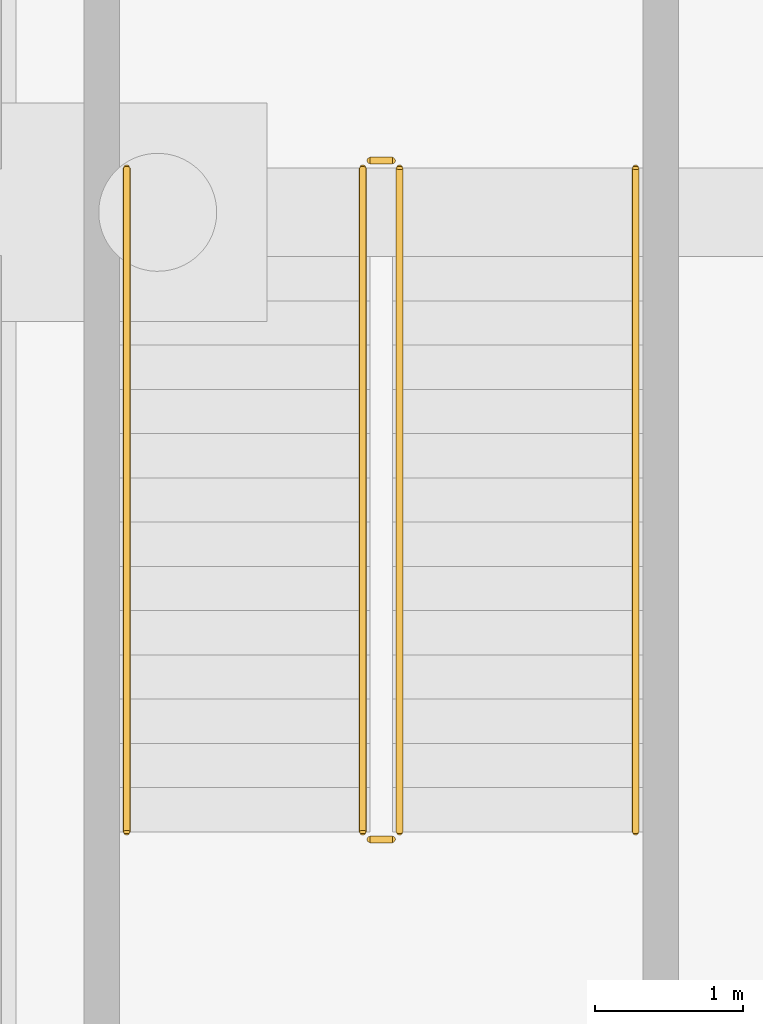
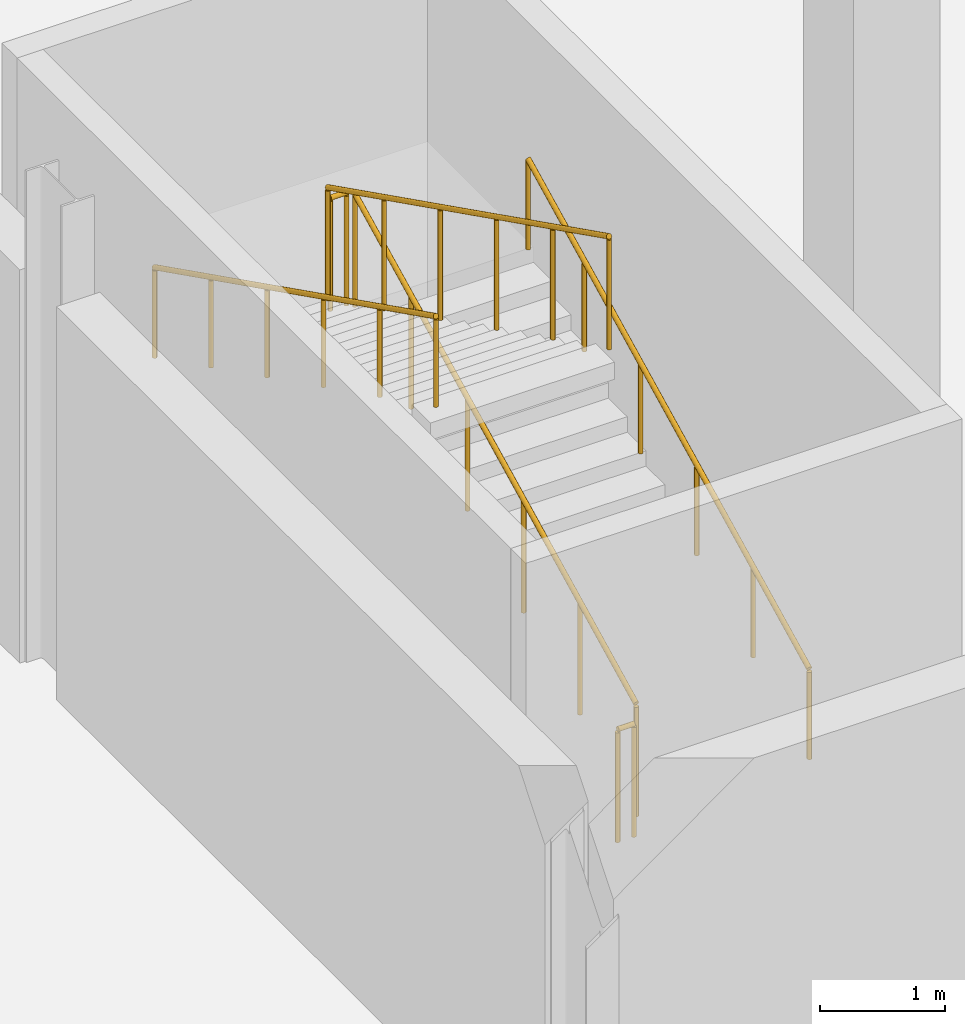
# One storey, part 39 of 44: 6 railings.
"""IFC4 building model written with IfcOpenShell, lengths in metres."""

import ifcopenshell
import ifcopenshell.guid

model = None  # the IFC model being written
_history = None  # IfcOwnerHistory: only IFC2X3 demands one
_inside = {}  # id of a spatial element -> (the spatial element, [elements in it])
_under = {}  # id of a project, library or spatial element -> (it, [spatial elements below it])
_declared = {}  # id of a project -> (the project, [libraries it declares])
_typed = {}  # id of a type object -> (the type object, [elements of that type])
_made_of = {}  # id of a material, layer set ... -> (it, [elements and type objects made of it])


def new_model(schema):
    """Start an empty IFC model of exactly this schema.

    Asked for "IFC4X3", IfcOpenShell would pick the latest addendum, in which some entities
    have other attributes; the version numbers below select the first issue.
    IFC2X3 requires an IfcOwnerHistory on every rooted entity: one is made here for all.
    """
    global model, _history
    if schema == "IFC4X3":
        model = ifcopenshell.file(schema_version=(4, 3, 0, 0))
    else:
        model = ifcopenshell.file(schema=schema)
    _inside.clear()
    _under.clear()
    _declared.clear()
    _typed.clear()
    _made_of.clear()
    _history = None
    if model.schema == "IFC2X3":
        org = make("IfcOrganization", Name="unknown")
        user = make(
            "IfcPersonAndOrganization",
            ThePerson=make("IfcPerson", FamilyName="unknown"),
            TheOrganization=org,
        )
        app = make(
            "IfcApplication",
            ApplicationDeveloper=org,
            Version="unknown",
            ApplicationFullName="unknown",
            ApplicationIdentifier="unknown",
        )
        _history = make(
            "IfcOwnerHistory",
            OwningUser=user,
            OwningApplication=app,
            ChangeAction="ADDED",
            CreationDate=0,
        )
    return model


def make(cls, **values):
    """One entity of the class cls with the attributes given. An attribute that is None is left unset."""
    return model.create_entity(
        cls, **{name: value for name, value in values.items() if value is not None}
    )


def rooted(cls, **values):
    """An entity with a GlobalId (a new one), such as an element, a storey or a relation."""
    return make(cls, GlobalId=ifcopenshell.guid.new(), OwnerHistory=_history, **values)


def si_unit(unit_type, name, prefix=None):
    """IfcSIUnit, for example si_unit("LENGTHUNIT", "METRE", prefix="MILLI")."""
    return make("IfcSIUnit", UnitType=unit_type, Prefix=prefix, Name=name)


def assignment(units):
    """IfcUnitAssignment: the units of a project."""
    return None if units is None else make("IfcUnitAssignment", Units=units)


def point(xyz):
    """IfcCartesianPoint."""
    return None if xyz is None else make("IfcCartesianPoint", Coordinates=xyz)


def direction(xyz):
    """IfcDirection."""
    return None if xyz is None else make("IfcDirection", DirectionRatios=xyz)


def frame(location, z_axis=None, x_axis=None):
    """IfcAxis2Placement3D, a coordinate frame: its origin and axes. An axis left out is left unset."""
    return make(
        "IfcAxis2Placement3D",
        Location=point(location),
        Axis=direction(z_axis),
        RefDirection=direction(x_axis),
    )


def frame_2d(location, x_axis=None):
    """IfcAxis2Placement2D, a coordinate frame in the plane: its origin and x axis."""
    return make(
        "IfcAxis2Placement2D", Location=point(location), RefDirection=direction(x_axis)
    )


def origin():
    """The frame at (0, 0, 0) with its axes left unset."""
    return frame((0.0, 0.0, 0.0))


def origin_2d():
    """The frame at (0, 0) in the plane with its x axis left unset."""
    return frame_2d((0.0, 0.0))


def place(relative_to, where):
    """IfcLocalPlacement: puts the frame where relative to a parent placement (None: the world)."""
    return make(
        "IfcLocalPlacement", PlacementRelTo=relative_to, RelativePlacement=where
    )


def context(
    kind, dimensions, precision=None, world=None, true_north=None, identifier=None
):
    """IfcGeometricRepresentationContext, for example the 3D "Model" context."""
    return make(
        "IfcGeometricRepresentationContext",
        ContextIdentifier=identifier,
        ContextType=kind,
        CoordinateSpaceDimension=dimensions,
        Precision=precision,
        WorldCoordinateSystem=world,
        TrueNorth=true_north,
    )


def subcontext(parent, identifier, kind, view, scale=None):
    """IfcGeometricRepresentationSubContext, for example "Body" below "Model"."""
    return make(
        "IfcGeometricRepresentationSubContext",
        ContextIdentifier=identifier,
        ContextType=kind,
        ParentContext=parent,
        TargetScale=scale,
        TargetView=view,
    )


def project(units=None, contexts=None):
    """IfcProject with its units and contexts."""
    return rooted(
        "IfcProject",
        Name="project",
        RepresentationContexts=contexts,
        UnitsInContext=assignment(units),
    )


def spatial(cls, under=None, at=None, **own):
    """A site, building, storey or space (cls), placed at a placement, below another one or the project."""
    s = rooted(cls, ObjectPlacement=at, **own)
    if under is not None:
        _under.setdefault(under.id(), (under, []))[1].append(s)
    return s


def profile(cls, at=None, kind="AREA", **sizes):
    """A parametric profile (cls). Its sizes go by their IFC names, for example OverallWidth=200.0."""
    return make(cls, ProfileType=kind, Position=at, **sizes)


def circle(**sizes):
    """IfcCircleProfileDef."""
    return profile("IfcCircleProfileDef", **sizes)


def extrude(swept, where, along, depth):
    """IfcExtrudedAreaSolid: the profile swept, set in the frame where, extruded along a direction by depth."""
    return make(
        "IfcExtrudedAreaSolid",
        SweptArea=swept,
        Position=where,
        ExtrudedDirection=direction(along),
        Depth=depth,
    )


def shape(context_of_items, identifier, shape_type, items):
    """IfcShapeRepresentation: the items that make up one representation, for example the "Body"."""
    return make(
        "IfcShapeRepresentation",
        ContextOfItems=context_of_items,
        RepresentationIdentifier=identifier,
        RepresentationType=shape_type,
        Items=items,
    )


def material(Name=None, Category=None):
    """IfcMaterial."""
    return make("IfcMaterial", Name=Name, Category=Category)


def layer(
    of_material, thickness, ventilated=None, Name=None, Category=None, Priority=None
):
    """IfcMaterialLayer: one layer of a wall or slab, of a material (None: an air gap)."""
    return make(
        "IfcMaterialLayer",
        Material=of_material,
        LayerThickness=thickness,
        IsVentilated=ventilated,
        Name=Name,
        Category=Category,
        Priority=Priority,
    )


def layer_set(layers, Name=None):
    """IfcMaterialLayerSet."""
    return make("IfcMaterialLayerSet", MaterialLayers=layers, LayerSetName=Name)


def made_of(thing, what):
    """Note that an element or type object is made of a material, layer set ...; save() writes the relation."""
    if what is not None:
        _made_of.setdefault(what.id(), (what, []))[1].append(thing)
    return thing


def type_object(cls, material=None, **own):
    """A type object (cls), such as IfcWallType, which elements share."""
    return made_of(rooted(cls, **own), material)


def element(
    cls,
    number,
    at=None,
    inside=None,
    cuts=None,
    type_object=None,
    material=None,
    context=None,
    identifier="Body",
    shape_type=None,
    held_by="IfcProductDefinitionShape",
    body=None,
    shapes=None,
    **own,
):
    """One element of the class cls, such as IfcWall. Its Tag is "e" and its number.

    at: its placement. inside: the storey or other place that contains it. cuts: it is an
    opening in that element (IfcRelVoidsElement). A single representation is given by context,
    identifier, shape_type and body (its items); several are given by shapes. held_by: the class
    of the entity that holds the representations. save() writes the other relations.
    """
    e = rooted(cls, Tag="e%d" % number, ObjectPlacement=at, **own)
    if body is not None:
        shapes = [shape(context, identifier, shape_type, body)]
    if shapes is not None:
        e.Representation = make(held_by, Representations=shapes)
    if inside is not None:
        _inside.setdefault(inside.id(), (inside, []))[1].append(e)
    if cuts is not None:
        rooted(
            "IfcRelVoidsElement", RelatingBuildingElement=cuts, RelatedOpeningElement=e
        )
    if type_object is not None:
        _typed.setdefault(type_object.id(), (type_object, []))[1].append(e)
    return made_of(e, material)


def aggregate(whole, parts):
    """IfcRelAggregates: a whole, such as a stair, and the parts it consists of."""
    return rooted("IfcRelAggregates", RelatingObject=whole, RelatedObjects=parts)


def save(model, path):
    """Write the relations noted so far, then the file.

    IfcRelAggregates (storeys below a building ...), IfcRelContainedInSpatialStructure (elements
    in a storey), IfcRelDefinesByType, IfcRelAssociatesMaterial and IfcRelDeclares: one each for
    every whole, place, type object, material and project.
    """
    for whole, parts in _under.values():
        aggregate(whole, parts)
    for where, things in _inside.values():
        rooted(
            "IfcRelContainedInSpatialStructure",
            RelatedElements=things,
            RelatingStructure=where,
        )
    for kind, things in _typed.values():
        rooted("IfcRelDefinesByType", RelatedObjects=things, RelatingType=kind)
    for what, things in _made_of.values():
        rooted("IfcRelAssociatesMaterial", RelatedObjects=things, RelatingMaterial=what)
    for by, libraries in _declared.values():
        rooted("IfcRelDeclares", RelatingContext=by, RelatedDefinitions=libraries)
    model.write(path)


model = new_model("IFC4")

# Units and contexts
model_context = context("Model", 3, precision=1e-05, world=origin(), true_north=direction((0.0, 1.0)))
body_context = subcontext(model_context, "Body", "Model", "MODEL_VIEW")
ifc_project = project(units=[si_unit("LENGTHUNIT", "METRE"), si_unit("AREAUNIT", "SQUARE_METRE"), si_unit("VOLUMEUNIT", "CUBIC_METRE"), si_unit("PLANEANGLEUNIT", "RADIAN"), si_unit("MASSUNIT", "GRAM", prefix="KILO")], contexts=[model_context])

# Site, building, storey
site_placement = place(None, origin())
site = spatial("IfcSite", under=ifc_project, at=site_placement, CompositionType="ELEMENT")
building_placement = place(site_placement, origin())
building = spatial("IfcBuilding", under=site, at=building_placement, Name="Yukiwa Park Conservatory and Herbarium", CompositionType="ELEMENT")
storey_placement = place(building_placement, frame((0.0, 0.0, -4.800048828125)))
storey = spatial("IfcBuildingStorey", under=building, at=storey_placement, Name="B1", CompositionType="ELEMENT", Elevation=-4.800048828125)

# Railings
ifc_material_1 = material(Name="Steel Q235B", Category="steel")
ifc_layer_1 = layer(ifc_material_1, 0.050048828125)
ifc_layer_set_1 = layer_set([ifc_layer_1], Name="Steel Q235B")
railing_type_1 = type_object("IfcRailingType", Name="RL-STAIR-GUARD-1120", PredefinedType="BALUSTRADE", material=ifc_layer_set_1)
railing_1_placement = place(storey_placement, frame((17.89990234375, 82.199951171875, 0.150146484375)))
element("IfcRailing", 1, at=railing_1_placement, inside=storey, type_object=railing_type_1, Name="B1 ST-A1 stair guard 1", PredefinedType="BALUSTRADE", context=body_context, shape_type="SweptSolid", body=[
    extrude(circle(Radius=0.02392578125, at=origin_2d()), frame((0.0, 0.0, 1.09619140625), z_axis=(0.0, 0.894427191, 0.4472135955), x_axis=(-1.0, 0.0, 0.0)), (0.0, 0.0, 1.0), 5.03125),
    extrude(circle(Radius=0.02099609375, at=origin_2d()), origin(), (0.0, 0.0, 1.0), 1.072021484375),
    extrude(circle(Radius=0.02099609375, at=origin_2d()), frame((0.0, 0.89990234375, 0.449951171875)), (0.0, 0.0, 1.0), 1.072021484375),
    extrude(circle(Radius=0.02099609375, at=origin_2d()), frame((0.0, 1.800048828125, 0.89990234375)), (0.0, 0.0, 1.0), 1.072021484375),
    extrude(circle(Radius=0.02099609375, at=origin_2d()), frame((0.0, 2.699951171875, 1.35009765625)), (0.0, 0.0, 1.0), 1.072021484375),
    extrude(circle(Radius=0.02099609375, at=origin_2d()), frame((0.0, 3.60009765625, 1.800048828125)), (0.0, 0.0, 1.0), 1.072021484375),
    extrude(circle(Radius=0.02099609375, at=origin_2d()), frame((0.0, 4.5, 2.25)), (0.0, 0.0, 1.0), 1.072021484375),
])
railing_2_placement = place(storey_placement, frame((17.85009765625, 86.75, 2.400146484375)))
element("IfcRailing", 2, at=railing_2_placement, inside=storey, type_object=railing_type_1, Name="B1 ST-A1 stair guard 2", PredefinedType="BALUSTRADE", context=body_context, shape_type="SweptSolid", body=[
    extrude(circle(Radius=0.02392578125, at=origin_2d()), frame((0.0, 0.0, 1.09619140625), z_axis=(-1.0, 0.0, 0.0), x_axis=(0.0, -1.0, 0.0)), (0.0, 0.0, 1.0), 0.150146484375),
    extrude(circle(Radius=0.02099609375, at=origin_2d()), origin(), (0.0, 0.0, 1.0), 1.072021484375),
    extrude(circle(Radius=0.02099609375, at=origin_2d()), frame((-0.150146484375, 0.0, 0.0)), (0.0, 0.0, 1.0), 1.072021484375),
])
railing_3_placement = place(storey_placement, frame((17.64990234375, 86.699951171875, 2.550048828125)))
element("IfcRailing", 3, at=railing_3_placement, inside=storey, type_object=railing_type_1, Name="B1 ST-A1 stair guard 3", PredefinedType="BALUSTRADE", context=body_context, shape_type="SweptSolid", body=[
    extrude(circle(Radius=0.02392578125, at=origin_2d()), frame((0.0, 0.0, 1.09619140625), z_axis=(0.0, -0.894427191, 0.4472135955), x_axis=(1.0, 0.0, 0.0)), (0.0, 0.0, 1.0), 5.03125),
    extrude(circle(Radius=0.02099609375, at=origin_2d()), origin(), (0.0, 0.0, 1.0), 1.072021484375),
    extrude(circle(Radius=0.02099609375, at=origin_2d()), frame((0.0, -0.89990234375, 0.449951171875)), (0.0, 0.0, 1.0), 1.072021484375),
    extrude(circle(Radius=0.02099609375, at=origin_2d()), frame((0.0, -1.800048828125, 0.89990234375)), (0.0, 0.0, 1.0), 1.072021484375),
    extrude(circle(Radius=0.02099609375, at=origin_2d()), frame((0.0, -2.699951171875, 1.35009765625)), (0.0, 0.0, 1.0), 1.072021484375),
    extrude(circle(Radius=0.02099609375, at=origin_2d()), frame((0.0, -3.60009765625, 1.800048828125)), (0.0, 0.0, 1.0), 1.072021484375),
    extrude(circle(Radius=0.02099609375, at=origin_2d()), frame((0.0, -4.5, 2.25)), (0.0, 0.0, 1.0), 1.072021484375),
])
railing_4_placement = place(storey_placement, frame((17.85009765625, 82.14990234375, 0.0)))
element("IfcRailing", 4, at=railing_4_placement, inside=storey, type_object=railing_type_1, Name="B1 ST-A1 stair guard 4", PredefinedType="BALUSTRADE", context=body_context, shape_type="SweptSolid", body=[
    extrude(circle(Radius=0.02392578125, at=origin_2d()), frame((0.0, 0.0, 1.09619140625), z_axis=(-1.0, 0.0, 0.0), x_axis=(0.0, -1.0, 0.0)), (0.0, 0.0, 1.0), 0.150146484375),
    extrude(circle(Radius=0.02099609375, at=origin_2d()), origin(), (0.0, 0.0, 1.0), 1.072021484375),
    extrude(circle(Radius=0.02099609375, at=origin_2d()), frame((-0.150146484375, 0.0, 0.0)), (0.0, 0.0, 1.0), 1.072021484375),
])
ifc_material_2 = material(Name="Steel Q235B", Category="steel")
ifc_layer_2 = layer(ifc_material_2, 0.044921875)
ifc_layer_set_2 = layer_set([ifc_layer_2], Name="Steel Q235B")
railing_type_2 = type_object("IfcRailingType", Name="RL-STAIR-RAIL-900", PredefinedType="HANDRAIL", material=ifc_layer_set_2)
railing_5_placement = place(storey_placement, frame((19.5, 82.199951171875, 0.150146484375)))
element("IfcRailing", 5, at=railing_5_placement, inside=storey, type_object=railing_type_2, Name="B1 ST-A1 stair handrail 1", PredefinedType="HANDRAIL", context=body_context, shape_type="SweptSolid", body=[
    extrude(circle(Radius=0.02392578125, at=origin_2d()), frame((0.0, 0.0, 0.8759765625), z_axis=(0.0, 0.894427191, 0.4472135955), x_axis=(-1.0, 0.0, 0.0)), (0.0, 0.0, 1.0), 5.03125),
    extrude(circle(Radius=0.02099609375, at=origin_2d()), origin(), (0.0, 0.0, 1.0), 0.851806640625),
    extrude(circle(Radius=0.02099609375, at=origin_2d()), frame((0.0, 0.89990234375, 0.449951171875)), (0.0, 0.0, 1.0), 0.851806640625),
    extrude(circle(Radius=0.02099609375, at=origin_2d()), frame((0.0, 1.800048828125, 0.89990234375)), (0.0, 0.0, 1.0), 0.851806640625),
    extrude(circle(Radius=0.02099609375, at=origin_2d()), frame((0.0, 2.699951171875, 1.35009765625)), (0.0, 0.0, 1.0), 0.851806640625),
    extrude(circle(Radius=0.02099609375, at=origin_2d()), frame((0.0, 3.60009765625, 1.800048828125)), (0.0, 0.0, 1.0), 0.851806640625),
    extrude(circle(Radius=0.02099609375, at=origin_2d()), frame((0.0, 4.5, 2.25)), (0.0, 0.0, 1.0), 0.851806640625),
])
railing_6_placement = place(storey_placement, frame((16.050048828125, 86.699951171875, 2.550048828125)))
element("IfcRailing", 6, at=railing_6_placement, inside=storey, type_object=railing_type_2, Name="B1 ST-A1 stair handrail 2", PredefinedType="HANDRAIL", context=body_context, shape_type="SweptSolid", body=[
    extrude(circle(Radius=0.02392578125, at=origin_2d()), frame((0.0, 0.0, 0.8759765625), z_axis=(0.0, -0.894427191, 0.4472135955), x_axis=(1.0, 0.0, 0.0)), (0.0, 0.0, 1.0), 5.03125),
    extrude(circle(Radius=0.02099609375, at=origin_2d()), origin(), (0.0, 0.0, 1.0), 0.851806640625),
    extrude(circle(Radius=0.02099609375, at=origin_2d()), frame((0.0, -0.89990234375, 0.449951171875)), (0.0, 0.0, 1.0), 0.851806640625),
    extrude(circle(Radius=0.02099609375, at=origin_2d()), frame((0.0, -1.800048828125, 0.89990234375)), (0.0, 0.0, 1.0), 0.851806640625),
    extrude(circle(Radius=0.02099609375, at=origin_2d()), frame((0.0, -2.699951171875, 1.35009765625)), (0.0, 0.0, 1.0), 0.851806640625),
    extrude(circle(Radius=0.02099609375, at=origin_2d()), frame((0.0, -3.60009765625, 1.800048828125)), (0.0, 0.0, 1.0), 0.851806640625),
    extrude(circle(Radius=0.02099609375, at=origin_2d()), frame((0.0, -4.5, 2.25)), (0.0, 0.0, 1.0), 0.851806640625),
])

save(model, "model.ifc")
